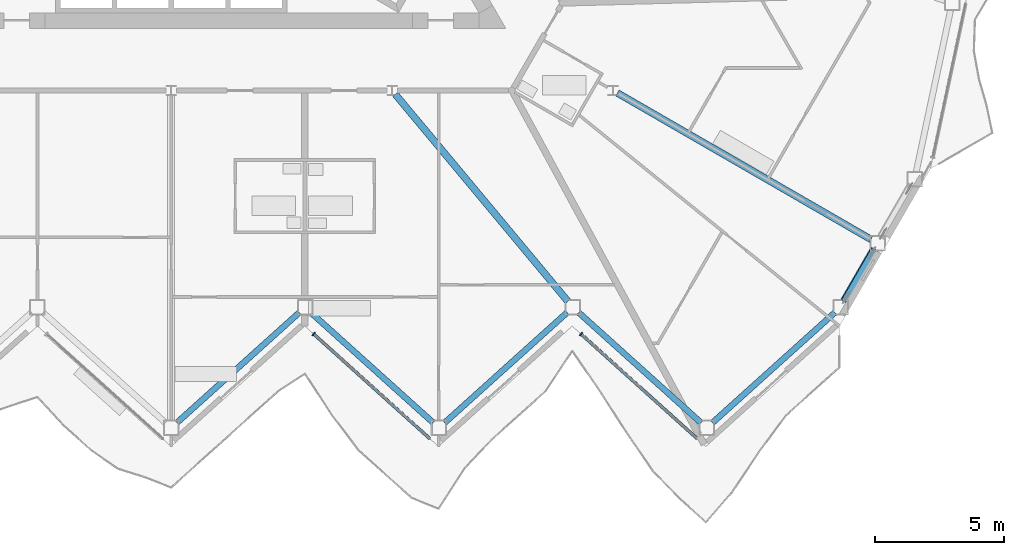
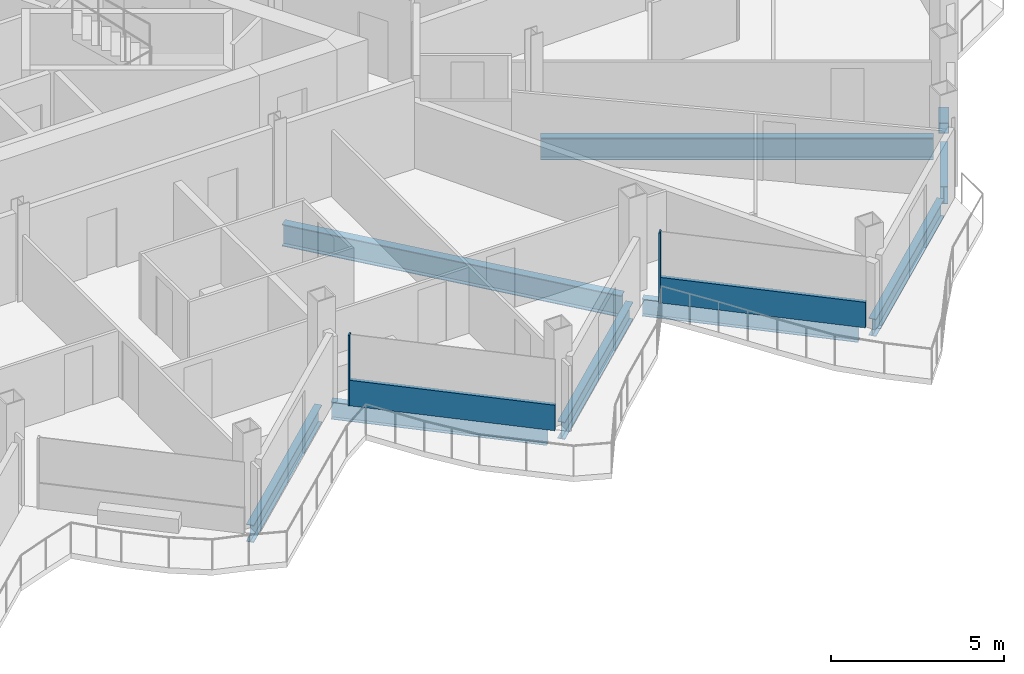
# One storey, part 7 of 28: 8 beams, 5 members, 2 elements without a shape of their own.
"""IFC4 building model written with IfcOpenShell, lengths in metres."""

from ifc_helpers import new_model, si_unit, direction, frame, origin, origin_2d, place, context, subcontext, project, spatial, rectangle, hollow_rectangle, i_section, extrude, material, layer, layer_set, material_profile, profile_set, type_object, element, aggregate, save


model = new_model("IFC4")

# Units and contexts
model_context = context("Model", 3, precision=1e-05, world=origin(), true_north=direction((0.0, 1.0)))
body_context = subcontext(model_context, "Body", "Model", "MODEL_VIEW")
ifc_project = project(units=[si_unit("LENGTHUNIT", "METRE"), si_unit("AREAUNIT", "SQUARE_METRE"), si_unit("VOLUMEUNIT", "CUBIC_METRE"), si_unit("PLANEANGLEUNIT", "RADIAN"), si_unit("MASSUNIT", "GRAM", prefix="KILO")], contexts=[model_context])

# Site, building, storey
site_placement = place(None, origin())
site = spatial("IfcSite", under=ifc_project, at=site_placement, CompositionType="ELEMENT")
building_placement = place(site_placement, origin())
building = spatial("IfcBuilding", under=site, at=building_placement, Name="Cormorant Prow Tower", CompositionType="ELEMENT")
storey_placement = place(building_placement, frame((0.0, 0.0, 305.199951171875)))
storey = spatial("IfcBuildingStorey", under=building, at=storey_placement, Name="L66", CompositionType="ELEMENT", Elevation=305.199951171875)

# Member
ifc_material_1 = material(Name="Structural steel ASTM A500 Gr C", Category="steel")
ifc_material_profile_1 = material_profile(ifc_material_1, hollow_rectangle(XDim=0.3046875, YDim=0.3046875, WallThickness=0.01171875, at=origin_2d()), Name="HSS12x12x1/2")
ifc_profile_set_1 = profile_set([ifc_material_profile_1], Name="Structural steel ASTM A500 Gr C")
member_type_1 = type_object("IfcMemberType", Name="Chamfer brace HSS12x12x1/2", PredefinedType="BRACE", material=ifc_profile_set_1)
member_1_placement = place(storey_placement, frame((27.27490234375, -16.110595703125, 0.7412109375), z_axis=(-0.456265706889, -0.790324476185, 0.408911759503), x_axis=(0.866038851724, -0.499976706761, 0.0)))
element("IfcMember", 1, at=member_1_placement, inside=storey, type_object=member_type_1, Name="Chamfer brace BR3 at ESE00 L66", PredefinedType="BRACE", context=body_context, shape_type="SweptSolid", body=[
    extrude(hollow_rectangle(XDim=0.3046875, YDim=0.3046875, WallThickness=0.01171875, at=origin_2d()), origin(), (0.0, 0.0, 1.0), 2.459228515625),
])

# Beams
ifc_material_2 = material(Name="Structural steel ASTM A992 Gr 50", Category="steel")
ifc_material_profile_2 = material_profile(ifc_material_2, i_section(OverallWidth=0.267822265625, OverallDepth=0.77001953125, WebThickness=0.015625, FlangeThickness=0.025390625, at=origin_2d()), Name="W30x132")
ifc_profile_set_2 = profile_set([ifc_material_profile_2], Name="Structural steel ASTM A992 Gr 50")
beam_type_1 = type_object("IfcBeamType", Name="Radial floor beam W30x132", PredefinedType="BEAM", material=ifc_profile_set_2)
beam_1_placement = place(storey_placement, frame((8.705078125, -10.057373046875, -0.684814453125), z_axis=(0.640239469619, -0.768175384624, 0.0), x_axis=(0.768175384624, 0.640239469619, 0.0)))
element("IfcBeam", 2, at=beam_1_placement, inside=storey, type_object=beam_type_1, Name="Radial floor beam FB3 8 L66", PredefinedType="BEAM", context=body_context, shape_type="SweptSolid", body=[
    extrude(i_section(OverallWidth=0.267822265625, OverallDepth=0.77001953125, WebThickness=0.015625, FlangeThickness=0.025390625, at=origin_2d()), origin(), (0.0, 0.0, 1.0), 10.465087890625),
])
beam_2_placement = place(storey_placement, frame((17.328125, -10.00439453125, -0.684814453125), z_axis=(0.866024637028, -0.500001328059, 0.0), x_axis=(0.500001328059, 0.866024637028, 0.0)))
element("IfcBeam", 3, at=beam_2_placement, inside=storey, type_object=beam_type_1, Name="Radial floor beam FB3 9 L66", PredefinedType="BEAM", context=body_context, shape_type="SweptSolid", body=[
    extrude(i_section(OverallWidth=0.267822265625, OverallDepth=0.77001953125, WebThickness=0.015625, FlangeThickness=0.025390625, at=origin_2d()), origin(), (0.0, 0.0, 1.0), 11.3671875),
])

# Curtain wall, member
ifc_material_3 = material(Name="Aluminium 6063-T6", Category="aluminium")
ifc_layer = layer(ifc_material_3, 0.159912109375)
ifc_layer_set = layer_set([ifc_layer], Name="Aluminium 6063-T6")
curtain_wall_type = type_object("IfcCurtainWallType", Name="Residential unitised curtain wall 160", PredefinedType="NOTDEFINED", material=ifc_layer_set)
curtain_wall_1_placement = place(storey_placement, origin())
curtain_wall_1 = element("IfcCurtainWall", 4, at=curtain_wall_1_placement, inside=storey, type_object=curtain_wall_type, Name="Residential curtain wall S06", PredefinedType="NOTDEFINED")
ifc_material_4 = material(Name="Aluminium 6063-T6", Category="aluminium")
ifc_material_profile_3 = material_profile(ifc_material_4, rectangle(XDim=0.159912109375, YDim=0.050048828125, at=origin_2d()), Name="Residential mullion 50x160")
ifc_profile_set_3 = profile_set([ifc_material_profile_3], Name="Aluminium 6063-T6")
member_type_2 = type_object("IfcMemberType", Name="Residential mullion 50x160", PredefinedType="MULLION", material=ifc_profile_set_3)
member_2_placement = place(storey_placement, frame((5.531982421875, -19.362060546875, 0.0), z_axis=(0.0, 0.0, 1.0), x_axis=(0.669130584997, 0.743144844712, 0.0)))
member_2 = element("IfcMember", 5, at=member_2_placement, type_object=member_type_2, Name="Residential mullion S06", PredefinedType="MULLION", context=body_context, shape_type="SweptSolid", body=[
    extrude(rectangle(XDim=0.159912109375, YDim=0.050048828125, at=origin_2d()), origin(), (0.0, 0.0, 1.0), 2.488037109375),
])

curtain_wall_2_placement = place(storey_placement, origin())
curtain_wall_2 = element("IfcCurtainWall", 6, at=curtain_wall_2_placement, inside=storey, type_object=curtain_wall_type, Name="Residential curtain wall S08", PredefinedType="NOTDEFINED")
member_3_placement = place(storey_placement, frame((15.913818359375, -19.362060546875, 0.0), z_axis=(0.0, 0.0, 1.0), x_axis=(0.669130584997, 0.743144844712, 0.0)))
member_3 = element("IfcMember", 7, at=member_3_placement, type_object=member_type_2, Name="Residential mullion S08", PredefinedType="MULLION", context=body_context, shape_type="SweptSolid", body=[
    extrude(rectangle(XDim=0.159912109375, YDim=0.050048828125, at=origin_2d()), origin(), (0.0, 0.0, 1.0), 2.488037109375),
])

# Member
ifc_material_5 = material(Name="Terracotta", Category="masonry")
ifc_material_profile_4 = material_profile(ifc_material_5, rectangle(XDim=0.1201171875, YDim=0.89990234375, at=origin_2d()), Name="Residential terracotta spandrel rail 120x900")
ifc_profile_set_4 = profile_set([ifc_material_profile_4], Name="Terracotta")
member_type_3 = type_object("IfcMemberType", Name="Residential terracotta spandrel rail 120x900", PredefinedType="USERDEFINED", material=ifc_profile_set_4)
member_4_placement = place(storey_placement, frame((5.550537109375, -19.37890625, 0.449951171875), z_axis=(0.74315806971, -0.669115896856, 0.0), x_axis=(0.669115896856, 0.74315806971, 0.0)))
member_4 = element("IfcMember", 8, at=member_4_placement, type_object=member_type_3, Name="Residential spandrel rail S06", ObjectType="TRANSOM", PredefinedType="USERDEFINED", context=body_context, shape_type="SweptSolid", body=[
    extrude(rectangle(XDim=0.1201171875, YDim=0.89990234375, at=origin_2d()), origin(), (0.0, 0.0, 1.0), 6.067138671875),
])

aggregate(curtain_wall_1, [member_2, member_4])

member_5_placement = place(storey_placement, frame((15.9326171875, -19.37890625, 0.449951171875), z_axis=(0.743140052667, -0.669135907064, 0.0), x_axis=(0.669135907064, 0.743140052667, 0.0)))
member_5 = element("IfcMember", 9, at=member_5_placement, type_object=member_type_3, Name="Residential spandrel rail S08", ObjectType="TRANSOM", PredefinedType="USERDEFINED", context=body_context, shape_type="SweptSolid", body=[
    extrude(rectangle(XDim=0.1201171875, YDim=0.89990234375, at=origin_2d()), origin(), (0.0, 0.0, 1.0), 6.06689453125),
])

aggregate(curtain_wall_2, [member_3, member_5])

# Beams
ifc_material_6 = material(Name="Structural steel ASTM A992 Gr 50", Category="steel")
ifc_material_profile_5 = material_profile(ifc_material_6, i_section(OverallWidth=0.22900390625, OverallDepth=0.612060546875, WebThickness=0.011962890625, FlangeThickness=0.01953125, at=origin_2d()), Name="W24x84")
ifc_profile_set_5 = profile_set([ifc_material_profile_5], Name="Structural steel ASTM A992 Gr 50")
beam_type_2 = type_object("IfcBeamType", Name="Spandrel beam W24x84", PredefinedType="SPANDREL", material=ifc_profile_set_5)
for number, where, z_axis, x_axis, name in (
    (10, (0.222900390625, -22.807373046875, -0.60595703125), (0.743144186555, 0.669131315954, 0.0), (-0.669131315954, 0.743144186555, 0.0), "Spandrel beam SB3 S05-S06 L66"),
    (11, (5.422119140625, -18.527587890625, -0.60595703125), (0.743144186555, -0.669131315954, 0.0), (0.669131315954, 0.743144186555, 0.0), "Spandrel beam SB3 S06-S07 L66"),
    (12, (10.62109375, -22.807373046875, -0.60595703125), (0.743144186555, 0.669131315954, 0.0), (-0.669131315954, 0.743144186555, 0.0), "Spandrel beam SB3 S07-S08 L66"),
):
    element("IfcBeam", number, at=place(storey_placement, frame(where, z_axis=z_axis, x_axis=x_axis)), inside=storey, type_object=beam_type_2, Name=name, PredefinedType="SPANDREL", context=body_context, shape_type="SweptSolid", body=[
        extrude(i_section(OverallWidth=0.22900390625, OverallDepth=0.612060546875, WebThickness=0.011962890625, FlangeThickness=0.01953125, at=origin_2d()), origin(), (0.0, 0.0, 1.0), 6.39599609375),
    ])
beam_3_placement = place(storey_placement, frame((15.820068359375, -18.527587890625, -0.60595703125), z_axis=(0.743161276225, -0.669112335502, 0.0), x_axis=(0.669112335502, 0.743161276225, 0.0)))
element("IfcBeam", 13, at=beam_3_placement, inside=storey, type_object=beam_type_2, Name="Spandrel beam SB3 S08-S09 L66", PredefinedType="SPANDREL", context=body_context, shape_type="SweptSolid", body=[
    extrude(i_section(OverallWidth=0.22900390625, OverallDepth=0.612060546875, WebThickness=0.011962890625, FlangeThickness=0.01953125, at=origin_2d()), origin(), (0.0, 0.0, 1.0), 6.396240234375),
])
beam_4_placement = place(storey_placement, frame((21.019287109375, -22.807373046875, -0.60595703125), z_axis=(0.743144186555, 0.669131315954, 0.0), x_axis=(-0.669131315954, 0.743144186555, 0.0)))
element("IfcBeam", 14, at=beam_4_placement, inside=storey, type_object=beam_type_2, Name="Spandrel beam SB3 S09-ESE00 L66", PredefinedType="SPANDREL", context=body_context, shape_type="SweptSolid", body=[
    extrude(i_section(OverallWidth=0.22900390625, OverallDepth=0.612060546875, WebThickness=0.011962890625, FlangeThickness=0.01953125, at=origin_2d()), origin(), (0.0, 0.0, 1.0), 6.39599609375),
])
beam_5_placement = place(storey_placement, frame((26.1455078125, -18.06689453125, -0.60595703125), z_axis=(0.49997342893, 0.866040744055, 0.0), x_axis=(-0.866040744055, 0.49997342893, 0.0)))
element("IfcBeam", 15, at=beam_5_placement, inside=storey, type_object=beam_type_2, Name="Spandrel beam SB3 ESE00-ESE01 L66", PredefinedType="SPANDREL", context=body_context, shape_type="SweptSolid", body=[
    extrude(i_section(OverallWidth=0.22900390625, OverallDepth=0.612060546875, WebThickness=0.011962890625, FlangeThickness=0.01953125, at=origin_2d()), origin(), (0.0, 0.0, 1.0), 2.2734375),
])

save(model, "model.ifc")
